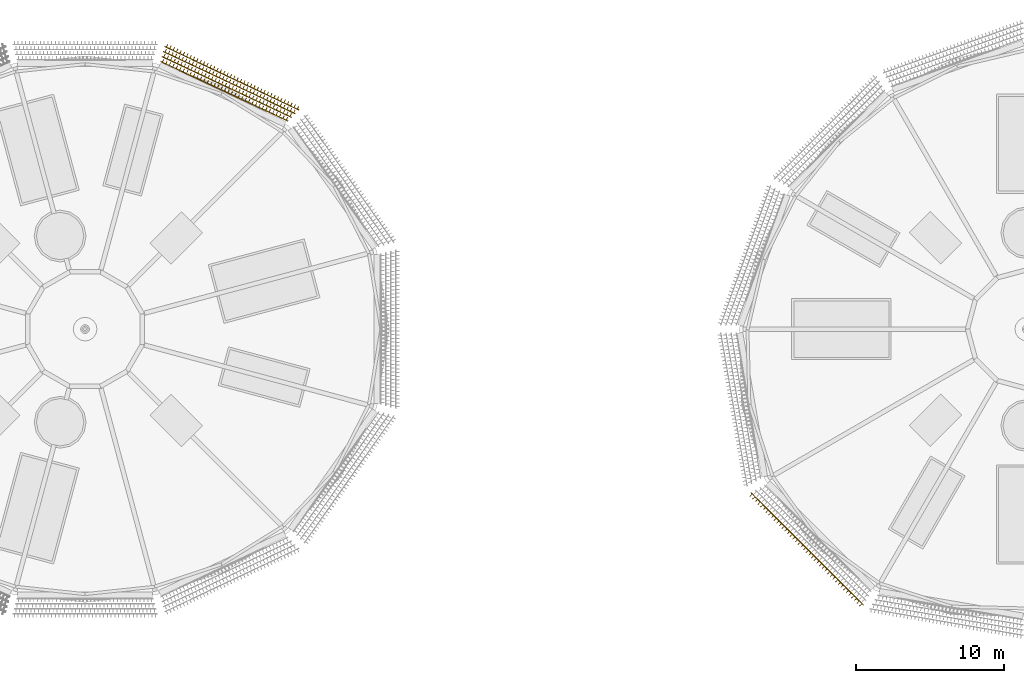
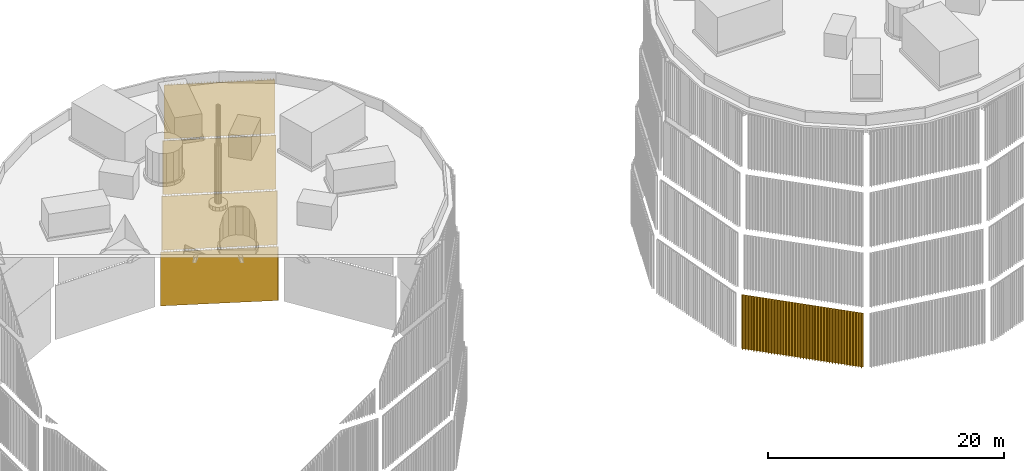
# One storey, part 12 of 24: 5 coverings.
"""IFC4 building model written with IfcOpenShell, lengths in metres."""

from ifc_helpers import new_model, si_unit, direction, frame, origin, place, context, subcontext, project, spatial, polyline, outline, extrude, material, type_object, element, save


model = new_model("IFC4")

# Units and contexts
model_context = context("Model", 3, precision=1e-05, world=origin(), true_north=direction((0.0, 1.0)))
body_context = subcontext(model_context, "Body", "Model", "MODEL_VIEW")
ifc_project = project(units=[si_unit("LENGTHUNIT", "METRE"), si_unit("AREAUNIT", "SQUARE_METRE"), si_unit("VOLUMEUNIT", "CUBIC_METRE"), si_unit("PLANEANGLEUNIT", "RADIAN"), si_unit("MASSUNIT", "GRAM", prefix="KILO")], contexts=[model_context])

# Site, building, storey
site_placement = place(None, origin())
site = spatial("IfcSite", under=ifc_project, at=site_placement, CompositionType="ELEMENT")
building_placement = place(site_placement, origin())
building = spatial("IfcBuilding", under=site, at=building_placement, Name="Rimbun Link Towers", CompositionType="ELEMENT")
storey_placement = place(building_placement, frame((0.0, 0.0, 294.89990234375)))
storey = spatial("IfcBuildingStorey", under=building, at=storey_placement, Name="Roof cap", CompositionType="ELEMENT", Elevation=294.89990234375)

# Coverings
ifc_material = material(Name="Terracotta", Category="masonry")
covering_type = type_object("IfcCoveringType", Name="TERRACOTTA CLADDING screen fins", PredefinedType="CLADDING", material=ifc_material)
covering_1_placement = place(storey_placement, frame((0.0, 0.0, -23.087890625)))
element("IfcCovering", 1, at=covering_1_placement, inside=storey, type_object=covering_type, Name="TERRACOTTA CLADDING screen", PredefinedType="CLADDING", context=body_context, shape_type="SweptSolid", body=[
    extrude(outline(polyline([(-17.314697265625, 14.79443359375), (-17.414306640625, 14.841796875), (-17.328857421875, 15.0224609375), (-17.35595703125, 15.035400390625), (-17.44140625, 14.8544921875), (-17.640869140625, 14.94873046875), (-17.555419921875, 15.129638671875), (-17.58251953125, 15.142333984375), (-17.66796875, 14.961669921875), (-17.867431640625, 15.055908203125), (-17.78173828125, 15.23681640625), (-17.80908203125, 15.24951171875), (-17.89453125, 15.06884765625), (-18.093994140625, 15.1630859375), (-18.00830078125, 15.343994140625), (-18.035400390625, 15.356689453125), (-18.12109375, 15.176025390625), (-18.3203125, 15.270263671875), (-18.23486328125, 15.451171875), (-18.261962890625, 15.4638671875), (-18.347412109375, 15.283203125), (-18.546875, 15.37744140625), (-18.461181640625, 15.55810546875), (-18.48828125, 15.571044921875), (-18.573974609375, 15.390380859375), (-18.773193359375, 15.484619140625), (-18.687744140625, 15.665283203125), (-18.71484375, 15.67822265625), (-18.800537109375, 15.497314453125), (-18.999755859375, 15.591796875), (-18.914306640625, 15.7724609375), (-18.94140625, 15.785400390625), (-19.027099609375, 15.6044921875), (-19.226318359375, 15.698974609375), (-19.140869140625, 15.879638671875), (-19.16796875, 15.892578125), (-19.25341796875, 15.711669921875), (-19.452880859375, 15.805908203125), (-19.3671875, 15.98681640625), (-19.394287109375, 15.999755859375), (-19.47998046875, 15.81884765625), (-19.67919921875, 15.9130859375), (-19.59375, 16.093994140625), (-19.620849609375, 16.106689453125), (-19.706298828125, 15.926025390625), (-19.90576171875, 16.020263671875), (-19.8203125, 16.201171875), (-19.847412109375, 16.214111328125), (-19.932861328125, 16.033203125), (-20.13232421875, 16.12744140625), (-20.046875, 16.308349609375), (-20.073974609375, 16.321044921875), (-20.159423828125, 16.140380859375), (-20.35888671875, 16.234619140625), (-20.273193359375, 16.415283203125), (-20.30029296875, 16.42822265625), (-20.385986328125, 16.24755859375), (-20.585205078125, 16.341796875), (-20.499755859375, 16.522705078125), (-20.52685546875, 16.535400390625), (-20.6123046875, 16.3544921875), (-20.811767578125, 16.448974609375), (-20.726318359375, 16.629638671875), (-20.75341796875, 16.642578125), (-20.8388671875, 16.4619140625), (-21.038330078125, 16.55615234375), (-20.95263671875, 16.73681640625), (-20.97998046875, 16.749755859375), (-21.0654296875, 16.56884765625), (-21.264892578125, 16.663330078125), (-21.17919921875, 16.843994140625), (-21.206298828125, 16.85693359375), (-21.2919921875, 16.676025390625), (-21.4912109375, 16.7705078125), (-21.40576171875, 16.951171875), (-21.432861328125, 16.964111328125), (-21.518310546875, 16.783203125), (-21.7177734375, 16.877685546875), (-21.632080078125, 17.058349609375), (-21.6591796875, 17.0712890625), (-21.744873046875, 16.890380859375), (-21.944091796875, 16.984619140625), (-21.858642578125, 17.16552734375), (-21.8857421875, 17.17822265625), (-21.971435546875, 16.99755859375), (-22.170654296875, 17.091796875), (-22.085205078125, 17.272705078125), (-22.1123046875, 17.285400390625), (-22.197998046875, 17.104736328125), (-22.397216796875, 17.198974609375), (-22.311767578125, 17.3798828125), (-22.3388671875, 17.392578125), (-22.42431640625, 17.2119140625), (-22.623779296875, 17.30615234375), (-22.5380859375, 17.487060546875), (-22.565185546875, 17.499755859375), (-22.65087890625, 17.319091796875), (-22.85009765625, 17.413330078125), (-22.7646484375, 17.593994140625), (-22.791748046875, 17.60693359375), (-22.877197265625, 17.42626953125), (-23.07666015625, 17.5205078125), (-22.9912109375, 17.701416015625), (-23.018310546875, 17.714111328125), (-23.103759765625, 17.533203125), (-23.30322265625, 17.627685546875), (-23.2177734375, 17.808349609375), (-23.244873046875, 17.8212890625), (-23.330322265625, 17.640380859375), (-23.52978515625, 17.73486328125), (-23.444091796875, 17.91552734375), (-23.47119140625, 17.928466796875), (-23.556884765625, 17.74755859375), (-23.756103515625, 17.841796875), (-23.670654296875, 18.022705078125), (-23.69775390625, 18.03564453125), (-23.783203125, 17.854736328125), (-23.982666015625, 17.94921875), (-23.897216796875, 18.1298828125), (-23.92431640625, 18.142578125), (-24.009765625, 17.9619140625), (-24.209228515625, 18.05615234375), (-24.12353515625, 18.237060546875), (-24.15087890625, 18.25), (-24.236328125, 18.069091796875), (-24.435791015625, 18.163330078125), (-24.35009765625, 18.34423828125), (-24.377197265625, 18.35693359375), (-24.462890625, 18.17626953125), (-24.662109375, 18.2705078125), (-24.57666015625, 18.451416015625), (-24.603759765625, 18.464111328125), (-24.689208984375, 18.283447265625), (-24.888671875, 18.377685546875), (-24.802978515625, 18.55859375), (-24.830078125, 18.5712890625), (-24.915771484375, 18.390380859375), (-25.114990234375, 18.48486328125), (-25.029541015625, 18.66552734375), (-25.056640625, 18.678466796875), (-25.142333984375, 18.497802734375), (-25.341552734375, 18.592041015625), (-25.256103515625, 18.772705078125), (-25.283203125, 18.78564453125), (-25.36865234375, 18.604736328125), (-25.568115234375, 18.69921875), (-25.482666015625, 18.8798828125), (-25.509765625, 18.892822265625), (-25.59521484375, 18.7119140625), (-25.794677734375, 18.806396484375), (-25.708984375, 18.987060546875), (-25.736083984375, 19.0), (-25.82177734375, 18.819091796875), (-26.02099609375, 18.91357421875), (-25.935546875, 19.09423828125), (-25.962646484375, 19.107177734375), (-26.048095703125, 18.92626953125), (-26.24755859375, 19.0205078125), (-26.162109375, 19.201416015625), (-26.189208984375, 19.214111328125), (-26.274658203125, 19.033447265625), (-26.37451171875, 19.08056640625), (-26.3876953125, 19.031494140625), (-17.352294921875, 14.757080078125), (-17.314697265625, 14.79443359375)])), origin(), (0.0, 0.0, 1.0), 5.575927734375),
])
covering_2_placement = place(storey_placement, frame((0.0, 0.0, -17.087890625)))
element("IfcCovering", 2, at=covering_2_placement, inside=storey, type_object=covering_type, Name="TERRACOTTA CLADDING screen", PredefinedType="CLADDING", context=body_context, shape_type="SweptSolid", body=[
    extrude(outline(polyline([(-17.562255859375, 14.547119140625), (-17.662841796875, 14.594482421875), (-17.577392578125, 14.775390625), (-17.6044921875, 14.7880859375), (-17.68994140625, 14.607177734375), (-17.89111328125, 14.701904296875), (-17.805908203125, 14.8828125), (-17.8330078125, 14.895751953125), (-17.918212890625, 14.71484375), (-18.119384765625, 14.8095703125), (-18.0341796875, 14.990478515625), (-18.061279296875, 15.00341796875), (-18.146484375, 14.822509765625), (-18.34765625, 14.917236328125), (-18.26220703125, 15.09814453125), (-18.28955078125, 15.11083984375), (-18.374755859375, 14.929931640625), (-18.575927734375, 15.024658203125), (-18.490478515625, 15.20556640625), (-18.517578125, 15.218505859375), (-18.60302734375, 15.03759765625), (-18.80419921875, 15.13232421875), (-18.718994140625, 15.313232421875), (-18.74609375, 15.325927734375), (-18.831298828125, 15.14501953125), (-19.032470703125, 15.239990234375), (-18.947265625, 15.4208984375), (-18.974365234375, 15.43359375), (-19.0595703125, 15.252685546875), (-19.2607421875, 15.347412109375), (-19.17529296875, 15.5283203125), (-19.20263671875, 15.541259765625), (-19.287841796875, 15.360107421875), (-19.489013671875, 15.455078125), (-19.40380859375, 15.635986328125), (-19.430908203125, 15.648681640625), (-19.51611328125, 15.4677734375), (-19.71728515625, 15.5625), (-19.632080078125, 15.743408203125), (-19.6591796875, 15.75634765625), (-19.744384765625, 15.575439453125), (-19.945556640625, 15.670166015625), (-19.8603515625, 15.85107421875), (-19.887451171875, 15.864013671875), (-19.97265625, 15.68310546875), (-20.173828125, 15.77783203125), (-20.08837890625, 15.958740234375), (-20.11572265625, 15.971435546875), (-20.200927734375, 15.79052734375), (-20.402099609375, 15.88525390625), (-20.31689453125, 16.06640625), (-20.343994140625, 16.0791015625), (-20.42919921875, 15.898193359375), (-20.63037109375, 15.992919921875), (-20.545166015625, 16.173828125), (-20.572265625, 16.1865234375), (-20.657470703125, 16.005615234375), (-20.858642578125, 16.1005859375), (-20.7734375, 16.281494140625), (-20.800537109375, 16.294189453125), (-20.8857421875, 16.11328125), (-21.0869140625, 16.2080078125), (-21.001708984375, 16.388916015625), (-21.02880859375, 16.40185546875), (-21.114013671875, 16.220947265625), (-21.315185546875, 16.315673828125), (-21.22998046875, 16.49658203125), (-21.257080078125, 16.509521484375), (-21.34228515625, 16.328369140625), (-21.54345703125, 16.423095703125), (-21.458251953125, 16.60400390625), (-21.4853515625, 16.616943359375), (-21.570556640625, 16.43603515625), (-21.771728515625, 16.53076171875), (-21.6865234375, 16.711669921875), (-21.713623046875, 16.724609375), (-21.798828125, 16.543701171875), (-22.0, 16.638427734375), (-21.914794921875, 16.8193359375), (-21.94189453125, 16.83203125), (-22.027099609375, 16.651123046875), (-22.228271484375, 16.74609375), (-22.14306640625, 16.927001953125), (-22.170166015625, 16.939697265625), (-22.25537109375, 16.7587890625), (-22.45654296875, 16.853515625), (-22.371337890625, 17.034423828125), (-22.3984375, 17.047119140625), (-22.483642578125, 16.8662109375), (-22.684814453125, 16.961181640625), (-22.599609375, 17.14208984375), (-22.626708984375, 17.15478515625), (-22.7119140625, 16.973876953125), (-22.9130859375, 17.068603515625), (-22.827880859375, 17.24951171875), (-22.85498046875, 17.262451171875), (-22.940185546875, 17.08154296875), (-23.141357421875, 17.17626953125), (-23.05615234375, 17.357177734375), (-23.083251953125, 17.3701171875), (-23.168701171875, 17.189208984375), (-23.36962890625, 17.28369140625), (-23.284423828125, 17.46484375), (-23.3115234375, 17.4775390625), (-23.396728515625, 17.296630859375), (-23.597900390625, 17.391357421875), (-23.5126953125, 17.572265625), (-23.539794921875, 17.585205078125), (-23.625, 17.404296875), (-23.826171875, 17.4990234375), (-23.740966796875, 17.679931640625), (-23.76806640625, 17.692626953125), (-23.853515625, 17.51171875), (-24.054443359375, 17.606689453125), (-23.96923828125, 17.78759765625), (-23.996337890625, 17.80029296875), (-24.081787109375, 17.619384765625), (-24.28271484375, 17.714111328125), (-24.197509765625, 17.89501953125), (-24.224609375, 17.907958984375), (-24.309814453125, 17.726806640625), (-24.510986328125, 17.82177734375), (-24.42578125, 18.002685546875), (-24.452880859375, 18.015380859375), (-24.5380859375, 17.83447265625), (-24.739501953125, 17.92919921875), (-24.654052734375, 18.110107421875), (-24.68115234375, 18.123046875), (-24.7666015625, 17.942138671875), (-24.967529296875, 18.036865234375), (-24.88232421875, 18.2177734375), (-24.909423828125, 18.230712890625), (-24.994873046875, 18.0498046875), (-25.19580078125, 18.14453125), (-25.110595703125, 18.325439453125), (-25.1376953125, 18.338134765625), (-25.222900390625, 18.1572265625), (-25.42431640625, 18.251953125), (-25.3388671875, 18.43310546875), (-25.3662109375, 18.44580078125), (-25.451416015625, 18.264892578125), (-25.652587890625, 18.359619140625), (-25.567138671875, 18.54052734375), (-25.59423828125, 18.55322265625), (-25.6796875, 18.372314453125), (-25.880615234375, 18.46728515625), (-25.79541015625, 18.648193359375), (-25.822509765625, 18.660888671875), (-25.907958984375, 18.47998046875), (-26.10888671875, 18.57470703125), (-26.023681640625, 18.755615234375), (-26.05078125, 18.7685546875), (-26.13623046875, 18.587646484375), (-26.33740234375, 18.682373046875), (-26.251953125, 18.86328125), (-26.279296875, 18.876220703125), (-26.364501953125, 18.695068359375), (-26.465087890625, 18.742431640625), (-26.478271484375, 18.693603515625), (-17.599853515625, 14.509521484375), (-17.562255859375, 14.547119140625)])), origin(), (0.0, 0.0, 1.0), 5.575927734375),
])
covering_3_placement = place(storey_placement, frame((0.0, 0.0, -11.087890625)))
element("IfcCovering", 3, at=covering_3_placement, inside=storey, type_object=covering_type, Name="TERRACOTTA CLADDING screen", PredefinedType="CLADDING", context=body_context, shape_type="SweptSolid", body=[
    extrude(outline(polyline([(-17.809814453125, 14.299560546875), (-17.9111328125, 14.34716796875), (-17.826171875, 14.5283203125), (-17.853271484375, 14.541015625), (-17.938232421875, 14.35986328125), (-18.141357421875, 14.455078125), (-18.056396484375, 14.63623046875), (-18.08349609375, 14.64892578125), (-18.16845703125, 14.468017578125), (-18.37158203125, 14.563232421875), (-18.28662109375, 14.744384765625), (-18.313720703125, 14.757080078125), (-18.398681640625, 14.575927734375), (-18.6015625, 14.67138671875), (-18.5166015625, 14.852294921875), (-18.543701171875, 14.864990234375), (-18.62890625, 14.68408203125), (-18.831787109375, 14.779296875), (-18.746826171875, 14.960205078125), (-18.77392578125, 14.97314453125), (-18.85888671875, 14.7919921875), (-19.06201171875, 14.88720703125), (-18.97705078125, 15.068359375), (-19.004150390625, 15.0810546875), (-19.089111328125, 14.900146484375), (-19.2919921875, 14.995361328125), (-19.20703125, 15.176513671875), (-19.234375, 15.189208984375), (-19.3193359375, 15.008056640625), (-19.522216796875, 15.103515625), (-19.437255859375, 15.284423828125), (-19.46435546875, 15.297119140625), (-19.54931640625, 15.1162109375), (-19.75244140625, 15.21142578125), (-19.66748046875, 15.392333984375), (-19.694580078125, 15.4052734375), (-19.779541015625, 15.22412109375), (-19.982666015625, 15.3193359375), (-19.897705078125, 15.50048828125), (-19.9248046875, 15.51318359375), (-20.009765625, 15.332275390625), (-20.212646484375, 15.427490234375), (-20.127685546875, 15.6083984375), (-20.15478515625, 15.62109375), (-20.239990234375, 15.440185546875), (-20.44287109375, 15.535400390625), (-20.35791015625, 15.716552734375), (-20.385009765625, 15.729248046875), (-20.469970703125, 15.548095703125), (-20.673095703125, 15.6435546875), (-20.588134765625, 15.824462890625), (-20.615234375, 15.83740234375), (-20.7001953125, 15.65625), (-20.9033203125, 15.75146484375), (-20.818115234375, 15.9326171875), (-20.845458984375, 15.9453125), (-20.930419921875, 15.76416015625), (-21.13330078125, 15.859619140625), (-21.04833984375, 16.04052734375), (-21.075439453125, 16.05322265625), (-21.160400390625, 15.872314453125), (-21.363525390625, 15.967529296875), (-21.278564453125, 16.148681640625), (-21.3056640625, 16.161376953125), (-21.390625, 15.980224609375), (-21.59375, 16.07568359375), (-21.5087890625, 16.256591796875), (-21.535888671875, 16.269287109375), (-21.620849609375, 16.08837890625), (-21.82373046875, 16.18359375), (-21.73876953125, 16.364501953125), (-21.76611328125, 16.37744140625), (-21.85107421875, 16.1962890625), (-22.053955078125, 16.29150390625), (-21.968994140625, 16.47265625), (-21.99609375, 16.4853515625), (-22.0810546875, 16.304443359375), (-22.2841796875, 16.399658203125), (-22.19921875, 16.580810546875), (-22.226318359375, 16.593505859375), (-22.311279296875, 16.412353515625), (-22.514404296875, 16.5078125), (-22.42919921875, 16.688720703125), (-22.45654296875, 16.701416015625), (-22.54150390625, 16.5205078125), (-22.744384765625, 16.61572265625), (-22.659423828125, 16.796630859375), (-22.6865234375, 16.8095703125), (-22.771484375, 16.62841796875), (-22.974609375, 16.7236328125), (-22.8896484375, 16.90478515625), (-22.916748046875, 16.91748046875), (-23.001708984375, 16.736572265625), (-23.204833984375, 16.831787109375), (-23.119873046875, 17.0126953125), (-23.14697265625, 17.025390625), (-23.23193359375, 16.844482421875), (-23.434814453125, 16.939697265625), (-23.349853515625, 17.120849609375), (-23.377197265625, 17.133544921875), (-23.462158203125, 16.952392578125), (-23.6650390625, 17.0478515625), (-23.580078125, 17.228759765625), (-23.607421875, 17.24169921875), (-23.692138671875, 17.060546875), (-23.895263671875, 17.15576171875), (-23.810302734375, 17.3369140625), (-23.83740234375, 17.349609375), (-23.92236328125, 17.168701171875), (-24.12548828125, 17.263916015625), (-24.040283203125, 17.44482421875), (-24.067626953125, 17.45751953125), (-24.152587890625, 17.276611328125), (-24.35546875, 17.371826171875), (-24.2705078125, 17.552978515625), (-24.297607421875, 17.565673828125), (-24.3828125, 17.384521484375), (-24.585693359375, 17.47998046875), (-24.500732421875, 17.660888671875), (-24.52783203125, 17.673583984375), (-24.61279296875, 17.49267578125), (-24.81591796875, 17.587890625), (-24.73095703125, 17.76904296875), (-24.758056640625, 17.78173828125), (-24.843017578125, 17.6005859375), (-25.0458984375, 17.69580078125), (-24.9609375, 17.876953125), (-24.98828125, 17.8896484375), (-25.0732421875, 17.708740234375), (-25.276123046875, 17.803955078125), (-25.191162109375, 17.985107421875), (-25.218505859375, 17.997802734375), (-25.30322265625, 17.816650390625), (-25.50634765625, 17.912109375), (-25.42138671875, 18.093017578125), (-25.448486328125, 18.105712890625), (-25.533447265625, 17.9248046875), (-25.736572265625, 18.02001953125), (-25.651611328125, 18.201171875), (-25.6787109375, 18.2138671875), (-25.763671875, 18.03271484375), (-25.966552734375, 18.1279296875), (-25.881591796875, 18.30908203125), (-25.90869140625, 18.32177734375), (-25.993896484375, 18.140869140625), (-26.19677734375, 18.236083984375), (-26.11181640625, 18.4169921875), (-26.138916015625, 18.429931640625), (-26.22412109375, 18.248779296875), (-26.427001953125, 18.343994140625), (-26.342041015625, 18.525146484375), (-26.369140625, 18.537841796875), (-26.4541015625, 18.356689453125), (-26.5556640625, 18.404541015625), (-26.56884765625, 18.35546875), (-17.847412109375, 14.261962890625), (-17.809814453125, 14.299560546875)])), origin(), (0.0, 0.0, 1.0), 5.575927734375),
])
covering_4_placement = place(storey_placement, frame((0.0, 0.0, -5.087890625)))
element("IfcCovering", 4, at=covering_4_placement, inside=storey, type_object=covering_type, Name="TERRACOTTA CLADDING screen", PredefinedType="CLADDING", context=body_context, shape_type="SweptSolid", body=[
    extrude(outline(polyline([(-18.05712890625, 14.052001953125), (-18.15966796875, 14.10009765625), (-18.074951171875, 14.28125), (-18.10205078125, 14.2939453125), (-18.186767578125, 14.11279296875), (-18.3916015625, 14.20849609375), (-18.306884765625, 14.3896484375), (-18.334228515625, 14.40234375), (-18.4189453125, 14.22119140625), (-18.623779296875, 14.31689453125), (-18.539306640625, 14.498291015625), (-18.56640625, 14.510986328125), (-18.65087890625, 14.32958984375), (-18.85595703125, 14.425537109375), (-18.771240234375, 14.606689453125), (-18.798583984375, 14.619384765625), (-18.88330078125, 14.438232421875), (-19.088134765625, 14.533935546875), (-19.00341796875, 14.715087890625), (-19.030517578125, 14.727783203125), (-19.115234375, 14.546630859375), (-19.3203125, 14.642578125), (-19.235595703125, 14.82373046875), (-19.2626953125, 14.83642578125), (-19.347412109375, 14.6552734375), (-19.552490234375, 14.7509765625), (-19.4677734375, 14.93212890625), (-19.494873046875, 14.94482421875), (-19.57958984375, 14.763671875), (-19.784423828125, 14.859619140625), (-19.699951171875, 15.040771484375), (-19.72705078125, 15.053466796875), (-19.811767578125, 14.872314453125), (-20.0166015625, 14.968017578125), (-19.931884765625, 15.149169921875), (-19.959228515625, 15.161865234375), (-20.0439453125, 14.980712890625), (-20.248779296875, 15.076416015625), (-20.1640625, 15.257568359375), (-20.19140625, 15.270263671875), (-20.27587890625, 15.089111328125), (-20.48095703125, 15.184814453125), (-20.396240234375, 15.3662109375), (-20.423583984375, 15.37890625), (-20.508056640625, 15.197509765625), (-20.713134765625, 15.29345703125), (-20.62841796875, 15.474609375), (-20.655517578125, 15.4873046875), (-20.740234375, 15.30615234375), (-20.9453125, 15.40185546875), (-20.860595703125, 15.5830078125), (-20.8876953125, 15.595703125), (-20.972412109375, 15.41455078125), (-21.177490234375, 15.510498046875), (-21.0927734375, 15.691650390625), (-21.119873046875, 15.704345703125), (-21.20458984375, 15.523193359375), (-21.409423828125, 15.618896484375), (-21.32470703125, 15.800048828125), (-21.35205078125, 15.812744140625), (-21.436767578125, 15.631591796875), (-21.6416015625, 15.727294921875), (-21.556884765625, 15.90869140625), (-21.583984375, 15.92138671875), (-21.668701171875, 15.739990234375), (-21.873779296875, 15.8359375), (-21.7890625, 16.01708984375), (-21.81640625, 16.02978515625), (-21.90087890625, 15.8486328125), (-22.10595703125, 15.9443359375), (-22.021240234375, 16.12548828125), (-22.04833984375, 16.13818359375), (-22.133056640625, 15.95703125), (-22.338134765625, 16.052978515625), (-22.25341796875, 16.234130859375), (-22.280517578125, 16.246826171875), (-22.365234375, 16.065673828125), (-22.5703125, 16.161376953125), (-22.485595703125, 16.342529296875), (-22.5126953125, 16.355224609375), (-22.597412109375, 16.174072265625), (-22.80224609375, 16.27001953125), (-22.7177734375, 16.451171875), (-22.744873046875, 16.4638671875), (-22.82958984375, 16.28271484375), (-23.034423828125, 16.37841796875), (-22.94970703125, 16.5595703125), (-22.97705078125, 16.572265625), (-23.061767578125, 16.39111328125), (-23.2666015625, 16.48681640625), (-23.181884765625, 16.66796875), (-23.208984375, 16.6806640625), (-23.293701171875, 16.49951171875), (-23.498779296875, 16.595458984375), (-23.4140625, 16.776611328125), (-23.44140625, 16.789306640625), (-23.52587890625, 16.608154296875), (-23.73095703125, 16.703857421875), (-23.646240234375, 16.885009765625), (-23.67333984375, 16.897705078125), (-23.758056640625, 16.716552734375), (-23.962890625, 16.812255859375), (-23.87841796875, 16.993408203125), (-23.905517578125, 17.006103515625), (-23.990234375, 16.824951171875), (-24.1953125, 16.9208984375), (-24.110595703125, 17.10205078125), (-24.1376953125, 17.11474609375), (-24.222412109375, 16.93359375), (-24.42724609375, 17.029296875), (-24.342529296875, 17.21044921875), (-24.369873046875, 17.22314453125), (-24.45458984375, 17.0419921875), (-24.659423828125, 17.1376953125), (-24.57470703125, 17.319091796875), (-24.601806640625, 17.331787109375), (-24.6865234375, 17.150390625), (-24.8916015625, 17.246337890625), (-24.806884765625, 17.427490234375), (-24.833984375, 17.440185546875), (-24.918701171875, 17.259033203125), (-25.123779296875, 17.354736328125), (-25.0390625, 17.535888671875), (-25.066162109375, 17.548583984375), (-25.15087890625, 17.367431640625), (-25.35595703125, 17.46337890625), (-25.271240234375, 17.64453125), (-25.29833984375, 17.6572265625), (-25.383056640625, 17.47607421875), (-25.587890625, 17.57177734375), (-25.50341796875, 17.7529296875), (-25.530517578125, 17.765625), (-25.615234375, 17.58447265625), (-25.820068359375, 17.680419921875), (-25.735595703125, 17.861572265625), (-25.7626953125, 17.874267578125), (-25.847412109375, 17.693115234375), (-26.05224609375, 17.788818359375), (-25.967529296875, 17.969970703125), (-25.994873046875, 17.982666015625), (-26.07958984375, 17.801513671875), (-26.284423828125, 17.897216796875), (-26.19970703125, 18.07861328125), (-26.226806640625, 18.09130859375), (-26.3115234375, 17.909912109375), (-26.5166015625, 18.005859375), (-26.431884765625, 18.18701171875), (-26.458984375, 18.19970703125), (-26.543701171875, 18.0185546875), (-26.646240234375, 18.06640625), (-26.659423828125, 18.017333984375), (-18.0947265625, 14.014404296875), (-18.05712890625, 14.052001953125)])), origin(), (0.0, 0.0, 1.0), 5.575927734375),
])
covering_5_placement = place(storey_placement, frame((0.0, 0.0, -23.087890625)))
element("IfcCovering", 5, at=covering_5_placement, inside=storey, type_object=covering_type, Name="TERRACOTTA CLADDING screen", PredefinedType="CLADDING", context=body_context, shape_type="SweptSolid", body=[
    extrude(outline(polyline([(13.13134765625, -11.042724609375), (13.2109375, -11.122314453125), (13.069580078125, -11.263916015625), (13.0908203125, -11.284912109375), (13.232177734375, -11.1435546875), (13.391357421875, -11.302734375), (13.25, -11.444091796875), (13.271240234375, -11.46533203125), (13.41259765625, -11.323974609375), (13.57177734375, -11.483154296875), (13.430419921875, -11.62451171875), (13.451416015625, -11.645751953125), (13.593017578125, -11.50439453125), (13.752197265625, -11.66357421875), (13.610595703125, -11.804931640625), (13.6318359375, -11.826171875), (13.773193359375, -11.684814453125), (13.9326171875, -11.84375), (13.791015625, -11.9853515625), (13.812255859375, -12.006591796875), (13.95361328125, -11.864990234375), (14.11279296875, -12.024169921875), (13.971435546875, -12.16552734375), (13.99267578125, -12.18701171875), (14.134033203125, -12.04541015625), (14.293212890625, -12.20458984375), (14.15185546875, -12.345947265625), (14.173095703125, -12.3671875), (14.314453125, -12.225830078125), (14.4736328125, -12.385009765625), (14.332275390625, -12.5263671875), (14.353515625, -12.547607421875), (14.494873046875, -12.40625), (14.654052734375, -12.565185546875), (14.5126953125, -12.706787109375), (14.53369140625, -12.72802734375), (14.67529296875, -12.586669921875), (14.83447265625, -12.74560546875), (14.693115234375, -12.88720703125), (14.714111328125, -12.908447265625), (14.855712890625, -12.766845703125), (15.014892578125, -12.926025390625), (14.873291015625, -13.0673828125), (14.89453125, -13.088623046875), (15.035888671875, -12.947265625), (15.195068359375, -13.1064453125), (15.0537109375, -13.247802734375), (15.074951171875, -13.26904296875), (15.21630859375, -13.127685546875), (15.37548828125, -13.286865234375), (15.234130859375, -13.42822265625), (15.25537109375, -13.449462890625), (15.396728515625, -13.30810546875), (15.555908203125, -13.46728515625), (15.41455078125, -13.608642578125), (15.435791015625, -13.6298828125), (15.5771484375, -13.48828125), (15.736328125, -13.647705078125), (15.594970703125, -13.7890625), (15.6162109375, -13.810302734375), (15.757568359375, -13.668701171875), (15.916748046875, -13.827880859375), (15.775146484375, -13.969482421875), (15.79638671875, -13.990478515625), (15.93798828125, -13.84912109375), (16.096923828125, -14.00830078125), (15.95556640625, -14.14990234375), (15.976806640625, -14.1708984375), (16.1181640625, -14.029541015625), (16.27734375, -14.188720703125), (16.135986328125, -14.330078125), (16.1572265625, -14.351318359375), (16.298583984375, -14.2099609375), (16.457763671875, -14.369140625), (16.31640625, -14.510498046875), (16.337646484375, -14.53173828125), (16.47900390625, -14.390380859375), (16.63818359375, -14.549560546875), (16.49658203125, -14.69091796875), (16.51806640625, -14.712158203125), (16.659423828125, -14.57080078125), (16.818603515625, -14.72998046875), (16.677001953125, -14.871337890625), (16.6982421875, -14.892578125), (16.83984375, -14.751220703125), (16.998779296875, -14.91015625), (16.857421875, -15.0517578125), (16.878662109375, -15.072998046875), (17.02001953125, -14.931396484375), (17.17919921875, -15.090576171875), (17.037841796875, -15.23193359375), (17.05908203125, -15.25341796875), (17.200439453125, -15.11181640625), (17.359619140625, -15.27099609375), (17.21826171875, -15.412353515625), (17.239501953125, -15.43359375), (17.380859375, -15.292236328125), (17.5400390625, -15.451416015625), (17.398681640625, -15.5927734375), (17.419921875, -15.614013671875), (17.561279296875, -15.47265625), (17.720458984375, -15.6318359375), (17.5791015625, -15.773193359375), (17.60009765625, -15.79443359375), (17.74169921875, -15.653076171875), (17.90087890625, -15.81201171875), (17.759521484375, -15.95361328125), (17.780517578125, -15.974853515625), (17.922119140625, -15.833251953125), (18.081298828125, -15.992431640625), (17.939697265625, -16.1337890625), (17.9609375, -16.155029296875), (18.102294921875, -16.013671875), (18.26171875, -16.1728515625), (18.1201171875, -16.314208984375), (18.141357421875, -16.33544921875), (18.28271484375, -16.194091796875), (18.44189453125, -16.353271484375), (18.300537109375, -16.49462890625), (18.32177734375, -16.515869140625), (18.463134765625, -16.37451171875), (18.622314453125, -16.53369140625), (18.48095703125, -16.675048828125), (18.502197265625, -16.6962890625), (18.6435546875, -16.554931640625), (18.802734375, -16.714111328125), (18.661376953125, -16.85546875), (18.6826171875, -16.876708984375), (18.823974609375, -16.735107421875), (18.983154296875, -16.894287109375), (18.841552734375, -17.035888671875), (18.86279296875, -17.056884765625), (19.00439453125, -16.91552734375), (19.163330078125, -17.07470703125), (19.02197265625, -17.21630859375), (19.043212890625, -17.2373046875), (19.184814453125, -17.095947265625), (19.34375, -17.255126953125), (19.202392578125, -17.396484375), (19.2236328125, -17.417724609375), (19.364990234375, -17.2763671875), (19.524169921875, -17.435546875), (19.3828125, -17.576904296875), (19.404052734375, -17.59814453125), (19.54541015625, -17.456787109375), (19.70458984375, -17.615966796875), (19.56298828125, -17.75732421875), (19.58447265625, -17.778564453125), (19.725830078125, -17.63720703125), (19.885009765625, -17.79638671875), (19.743408203125, -17.937744140625), (19.7646484375, -17.958984375), (19.90625, -17.8173828125), (20.065185546875, -17.976806640625), (19.923828125, -18.1181640625), (19.945068359375, -18.139404296875), (20.08642578125, -17.997802734375), (20.24560546875, -18.156982421875), (20.104248046875, -18.298583984375), (20.12548828125, -18.319580078125), (20.266845703125, -18.17822265625), (20.426025390625, -18.33740234375), (20.28466796875, -18.478759765625), (20.305908203125, -18.5), (20.447265625, -18.358642578125), (20.6064453125, -18.517822265625), (20.465087890625, -18.6591796875), (20.486083984375, -18.680419921875), (20.627685546875, -18.5390625), (20.707275390625, -18.61865234375), (20.733154296875, -18.57373046875), (13.17626953125, -11.016845703125), (13.13134765625, -11.042724609375)])), origin(), (0.0, 0.0, 1.0), 5.575927734375),
])

save(model, "model.ifc")
